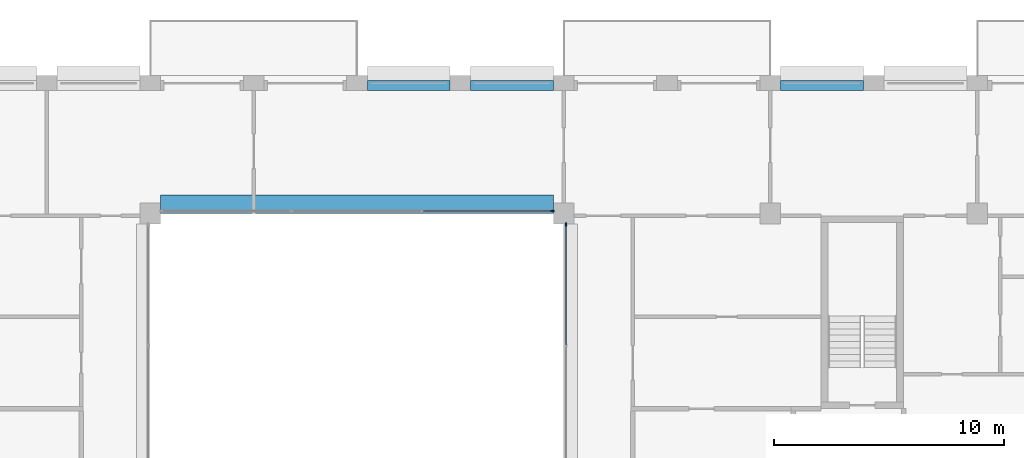
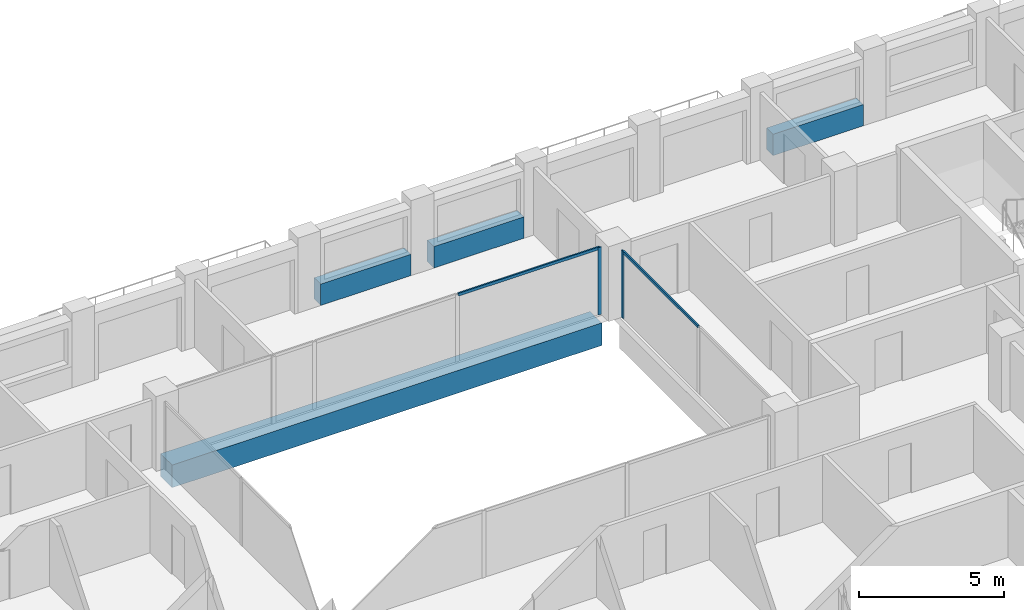
# One storey, part 6 of 15: 4 beams, 4 members, 2 elements without a shape of their own.
"""IFC4 building model written with IfcOpenShell, lengths in metres."""

from ifc_helpers import new_model, si_unit, direction, frame, origin, origin_2d, place, context, subcontext, project, spatial, rectangle, extrude, material, layer, layer_set, material_profile, profile_set, type_object, element, aggregate, save


model = new_model("IFC4")

# Units and contexts
model_context = context("Model", 3, precision=1e-05, world=origin(), true_north=direction((0.0, 1.0)))
body_context = subcontext(model_context, "Body", "Model", "MODEL_VIEW")
ifc_project = project(units=[si_unit("LENGTHUNIT", "METRE"), si_unit("AREAUNIT", "SQUARE_METRE"), si_unit("VOLUMEUNIT", "CUBIC_METRE"), si_unit("PLANEANGLEUNIT", "RADIAN"), si_unit("MASSUNIT", "GRAM", prefix="KILO")], contexts=[model_context])

# Site, building, storey
site_placement = place(None, origin())
site = spatial("IfcSite", under=ifc_project, at=site_placement, CompositionType="ELEMENT")
building_placement = place(site_placement, origin())
building = spatial("IfcBuilding", under=site, at=building_placement, Name="Brigalow Station Residences", CompositionType="ELEMENT")
storey_placement = place(building_placement, frame((0.0, 0.0, 226.35009765625)))
storey = spatial("IfcBuildingStorey", under=building, at=storey_placement, Name="L65", CompositionType="ELEMENT", Elevation=226.35009765625)

# Beam
ifc_material_1 = material(Name="Concrete C65", Category="concrete")
ifc_material_profile_1 = material_profile(ifc_material_1, rectangle(XDim=0.800048828125, YDim=0.949951171875, at=origin_2d()), Name="RC800x950")
ifc_profile_set_1 = profile_set([ifc_material_profile_1], Name="Concrete C65")
beam_type_1 = type_object("IfcBeamType", Name="ATRIUM EDGE GIRDER OVER 13.5 M SPAN 800x950 C65", PredefinedType="BEAM", material=ifc_profile_set_1)
beam_placement = place(storey_placement, frame((27.449951171875, 35.89990234375, -0.795166015625), z_axis=(1.0, 0.0, 0.0), x_axis=(0.0, 1.0, 0.0)))
element("IfcBeam", 1, at=beam_placement, inside=storey, type_object=beam_type_1, Name="ATRIUM EDGE GIRDER D L65", PredefinedType="BEAM", context=body_context, shape_type="SweptSolid", body=[
    extrude(rectangle(XDim=0.800048828125, YDim=0.949951171875, at=origin_2d()), origin(), (0.0, 0.0, 1.0), 17.10009765625),
])

# Curtain wall, member
ifc_material_2 = material(Name="Aluminium", Category="aluminium")
ifc_layer = layer(ifc_material_2, 0.14990234375)
ifc_layer_set = layer_set([ifc_layer], Name="ATRIUM FIRE-RATED GLAZING CURTAIN WALL")
curtain_wall_type = type_object("IfcCurtainWallType", Name="ATRIUM FIRE-RATED GLAZING CURTAIN WALL", PredefinedType="NOTDEFINED", material=ifc_layer_set)
curtain_wall_1_placement = place(storey_placement, origin())
curtain_wall_1 = element("IfcCurtainWall", 2, at=curtain_wall_1_placement, inside=storey, type_object=curtain_wall_type, Name="L65/cw/atrium-E", PredefinedType="NOTDEFINED")
ifc_material_3 = material(Name="Aluminium", Category="aluminium")
ifc_material_profile_2 = material_profile(ifc_material_3, rectangle(XDim=0.06005859375, YDim=0.14990234375, at=origin_2d()), Name="ATRIUM FIRE-RATED GLAZING MULLION 60x150")
ifc_profile_set_2 = profile_set([ifc_material_profile_2], Name="Aluminium")
member_type_1 = type_object("IfcMemberType", Name="ATRIUM FIRE-RATED GLAZING MULLION 60x150", PredefinedType="MULLION", material=ifc_profile_set_2)
member_1_placement = place(storey_placement, frame((45.10009765625, 35.02001953125, 0.0), z_axis=(0.0, 0.0, 1.0), x_axis=(-1.0, 0.0, 0.0)))
member_1 = element("IfcMember", 3, at=member_1_placement, type_object=member_type_1, Name="L65/cw/atrium-E/M02", PredefinedType="MULLION", context=body_context, shape_type="SweptSolid", body=[
    extrude(rectangle(XDim=0.06005859375, YDim=0.14990234375, at=origin_2d()), origin(), (0.0, 0.0, 1.0), 2.829833984375),
])

curtain_wall_2_placement = place(storey_placement, origin())
curtain_wall_2 = element("IfcCurtainWall", 4, at=curtain_wall_2_placement, inside=storey, type_object=curtain_wall_type, Name="L65/cw/atrium-N", PredefinedType="NOTDEFINED")
member_2_placement = place(storey_placement, frame((44.52001953125, 35.60009765625, 0.0), z_axis=(0.0, 0.0, 1.0), x_axis=(0.0, -1.0, 0.0)))
member_2 = element("IfcMember", 5, at=member_2_placement, type_object=member_type_1, Name="L65/cw/atrium-N/M00", PredefinedType="MULLION", context=body_context, shape_type="SweptSolid", body=[
    extrude(rectangle(XDim=0.06005859375, YDim=0.14990234375, at=origin_2d()), origin(), (0.0, 0.0, 1.0), 2.829833984375),
])

# Member
ifc_material_4 = material(Name="Aluminium", Category="aluminium")
ifc_material_profile_3 = material_profile(ifc_material_4, rectangle(XDim=0.06005859375, YDim=0.1201171875, at=origin_2d()), Name="ATRIUM FIRE-RATED GLAZING TRANSOM 60x120")
ifc_profile_set_3 = profile_set([ifc_material_profile_3], Name="Aluminium")
member_type_2 = type_object("IfcMemberType", Name="ATRIUM FIRE-RATED GLAZING TRANSOM 60x120", PredefinedType="USERDEFINED", material=ifc_profile_set_3)
member_3_placement = place(storey_placement, frame((45.10009765625, 29.780029296875, 2.7998046875), z_axis=(0.0, 1.0, 0.0), x_axis=(-1.0, 0.0, 0.0)))
member_3 = element("IfcMember", 6, at=member_3_placement, type_object=member_type_2, Name="L65/cw/atrium-E/T01-00", ObjectType="TRANSOM", PredefinedType="USERDEFINED", context=body_context, shape_type="SweptSolid", body=[
    extrude(rectangle(XDim=0.06005859375, YDim=0.1201171875, at=origin_2d()), origin(), (0.0, 0.0, 1.0), 5.2099609375),
])

aggregate(curtain_wall_1, [member_1, member_3])

member_4_placement = place(storey_placement, frame((44.489990234375, 35.60009765625, 2.7998046875), z_axis=(-1.0, 0.0, 0.0), x_axis=(0.0, -1.0, 0.0)))
member_4 = element("IfcMember", 7, at=member_4_placement, type_object=member_type_2, Name="L65/cw/atrium-N/T00-00", ObjectType="TRANSOM", PredefinedType="USERDEFINED", context=body_context, shape_type="SweptSolid", body=[
    extrude(rectangle(XDim=0.06005859375, YDim=0.1201171875, at=origin_2d()), origin(), (0.0, 0.0, 1.0), 5.610107421875),
])

aggregate(curtain_wall_2, [member_2, member_4])

# Beams
ifc_material_5 = material(Name="Concrete C50", Category="concrete")
ifc_material_profile_4 = material_profile(ifc_material_5, rectangle(XDim=0.449951171875, YDim=0.89990234375, at=origin_2d()), Name="RC450x900")
ifc_profile_set_4 = profile_set([ifc_material_profile_4], Name="Concrete C50")
beam_type_2 = type_object("IfcBeamType", Name="SPANDREL BEAM 450x900 C50", PredefinedType="SPANDREL", material=ifc_profile_set_4)
for number, where, z_axis, x_axis, name in (
    (8, (58.050048828125, 41.074951171875, 0.449951171875), (-1.0, 0.0, 0.0), (0.0, -1.0, 0.0), "L65/spandrel/W-L65-22"),
    (9, (44.550048828125, 41.074951171875, 0.449951171875), (-1.0, 0.0, 0.0), (0.0, -1.0, 0.0), "L65/spandrel/W-L65-25"),
    (10, (40.050048828125, 41.074951171875, 0.449951171875), (-1.0, 0.0, 0.0), (0.0, -1.0, 0.0), "L65/spandrel/W-L65-26"),
):
    element("IfcBeam", number, at=place(storey_placement, frame(where, z_axis=z_axis, x_axis=x_axis)), inside=storey, type_object=beam_type_2, Name=name, PredefinedType="SPANDREL", context=body_context, shape_type="SweptSolid", body=[
        extrude(rectangle(XDim=0.449951171875, YDim=0.89990234375, at=origin_2d()), origin(), (0.0, 0.0, 1.0), 3.60009765625),
    ])

save(model, "model.ifc")
